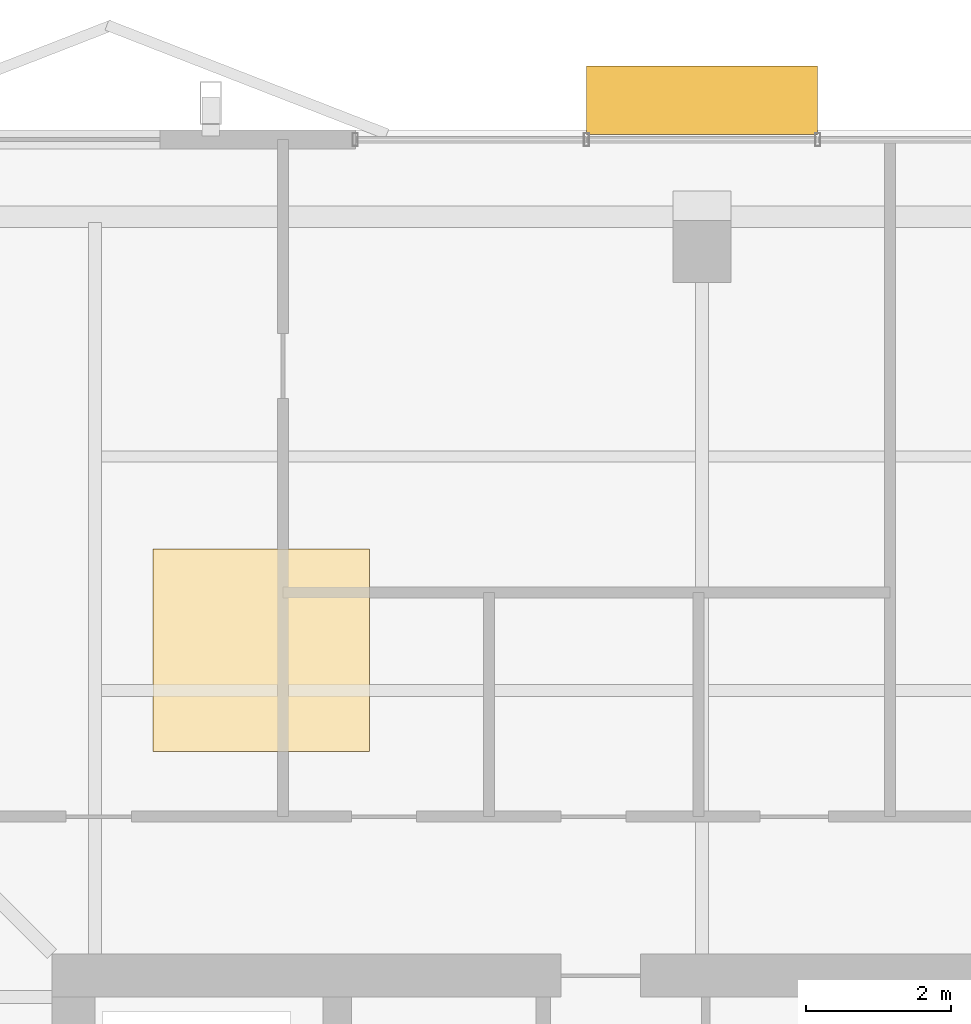
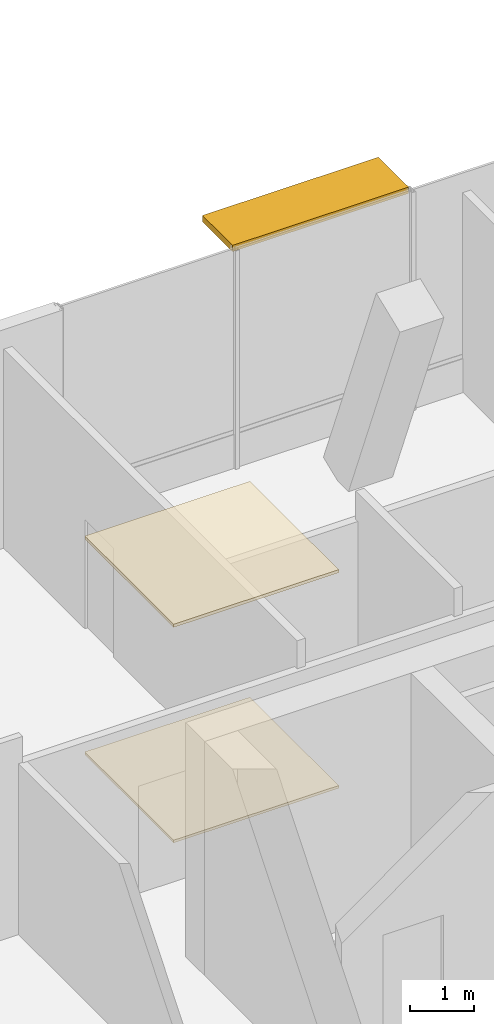
# One storey, part 16 of 16: 2 coverings, 1 shading device.
"""IFC4 building model written with IfcOpenShell, lengths in metres."""

from ifc_helpers import new_model, si_unit, direction, frame, origin, origin_2d, place, context, subcontext, project, spatial, polyline, rectangle, outline, extrude, material, layer, layer_set, type_object, element, save


model = new_model("IFC4")

# Units and contexts
model_context = context("Model", 3, precision=1e-05, world=origin(), true_north=direction((0.0, 1.0)))
body_context = subcontext(model_context, "Body", "Model", "MODEL_VIEW")
ifc_project = project(units=[si_unit("LENGTHUNIT", "METRE"), si_unit("AREAUNIT", "SQUARE_METRE"), si_unit("VOLUMEUNIT", "CUBIC_METRE"), si_unit("PLANEANGLEUNIT", "RADIAN"), si_unit("MASSUNIT", "GRAM", prefix="KILO")], contexts=[model_context])

# Site, building, storey
site_placement = place(None, origin())
site = spatial("IfcSite", under=ifc_project, at=site_placement, CompositionType="ELEMENT")
building_placement = place(site_placement, origin())
building = spatial("IfcBuilding", under=site, at=building_placement, Name="Belovzor Exchange Tower", CompositionType="ELEMENT")
storey_placement = place(building_placement, frame((0.0, 0.0, 364.5)))
storey = spatial("IfcBuildingStorey", under=building, at=storey_placement, Name="L91", CompositionType="ELEMENT", Elevation=364.5)

# Coverings
ifc_material_1 = material(Name="Perforated Powder-Coated Aluminium", Category="aluminium")
ifc_layer_1 = layer(ifc_material_1, 0.06005859375)
ifc_layer_set_1 = layer_set([ifc_layer_1], Name="Perforated Powder-Coated Aluminium")
covering_type_1 = type_object("IfcCoveringType", Name="Perforated Acoustic Metal Tile Suspended Ceiling 60", PredefinedType="CEILING", material=ifc_layer_set_1)
covering_1_placement = place(storey_placement, frame((0.0, 0.0, 4.139892578125)))
element("IfcCovering", 1, at=covering_1_placement, inside=storey, type_object=covering_type_1, Name="CLG-AC60 Suspended Ceiling CLG-L91-Z3", PredefinedType="CEILING", context=body_context, shape_type="SweptSolid", body=[
    extrude(outline(polyline([(21.199951171875, 40.60009765625), (24.199951171875, 40.60009765625), (24.199951171875, 43.39990234375), (21.199951171875, 43.39990234375), (21.199951171875, 40.60009765625)])), origin(), (0.0, 0.0, 1.0), 0.06005859375),
])
ifc_material_2 = material(Name="Polished Natural Granite Tile", Category="masonry")
ifc_layer_2 = layer(ifc_material_2, 0.050048828125)
ifc_layer_set_2 = layer_set([ifc_layer_2], Name="Polished Natural Granite Tile")
covering_type_2 = type_object("IfcCoveringType", Name="Polished Karelian Granite & Raised Access Floor Finish 50", PredefinedType="FLOORING", material=ifc_layer_set_2)
covering_2_placement = place(storey_placement, origin())
element("IfcCovering", 2, at=covering_2_placement, inside=storey, type_object=covering_type_2, Name="FLR-GR50 Floor Finish FLR-L91-Z3", PredefinedType="FLOORING", context=body_context, shape_type="SweptSolid", body=[
    extrude(outline(polyline([(21.199951171875, 40.60009765625), (24.199951171875, 40.60009765625), (24.199951171875, 43.39990234375), (21.199951171875, 43.39990234375), (21.199951171875, 40.60009765625)])), origin(), (0.0, 0.0, 1.0), 0.050048828125),
])

# Shading device
ifc_material_3 = material(Name="Extruded Architectural Terracotta", Category="masonry")
ifc_layer_3 = layer(ifc_material_3, 0.1201171875)
ifc_layer_set_3 = layer_set([ifc_layer_3], Name="Extruded Architectural Terracotta")
shading_device_type = type_object("IfcShadingDeviceType", Name="Streamline Terracotta Horizontal Sunshade Hood 950", PredefinedType="AWNING", material=ifc_layer_set_3)
shading_device_placement = place(storey_placement, frame((28.800048828125, 49.614990234375, 4.079833984375), z_axis=(0.0, 0.0, 1.0), x_axis=(1.0, 0.0, 0.0)))
element("IfcShadingDevice", 3, at=shading_device_placement, inside=storey, type_object=shading_device_type, Name="SHD-TC095 Terracotta Sunshade L91 N", PredefinedType="AWNING", context=body_context, shape_type="SweptSolid", body=[
    extrude(rectangle(XDim=3.199951171875, YDim=0.949951171875, at=origin_2d()), origin(), (0.0, 0.0, 1.0), 0.1201171875),
])

save(model, "model.ifc")
